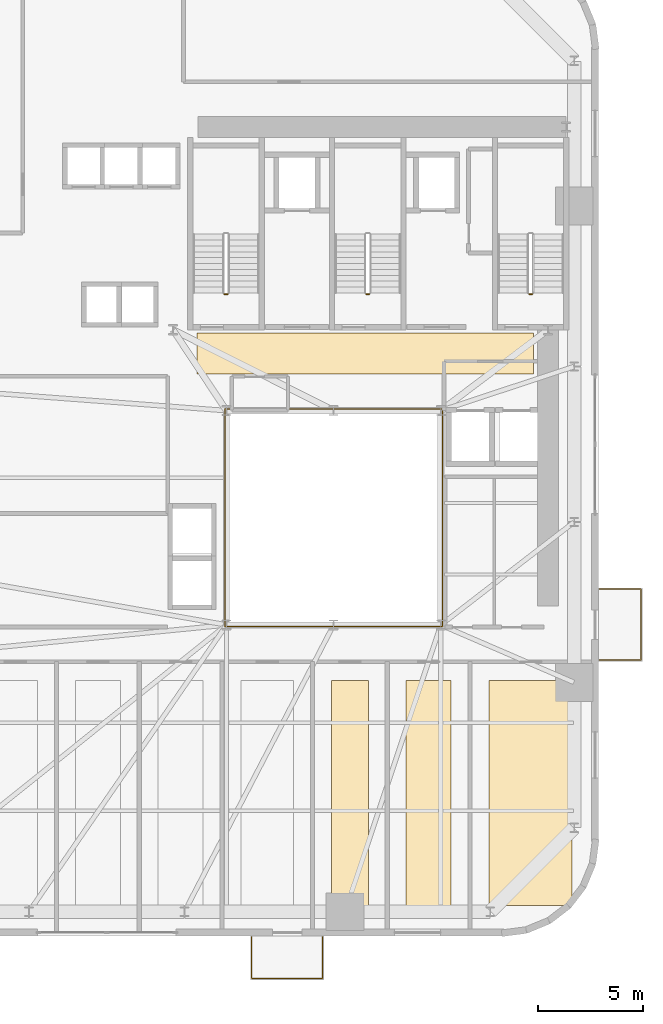
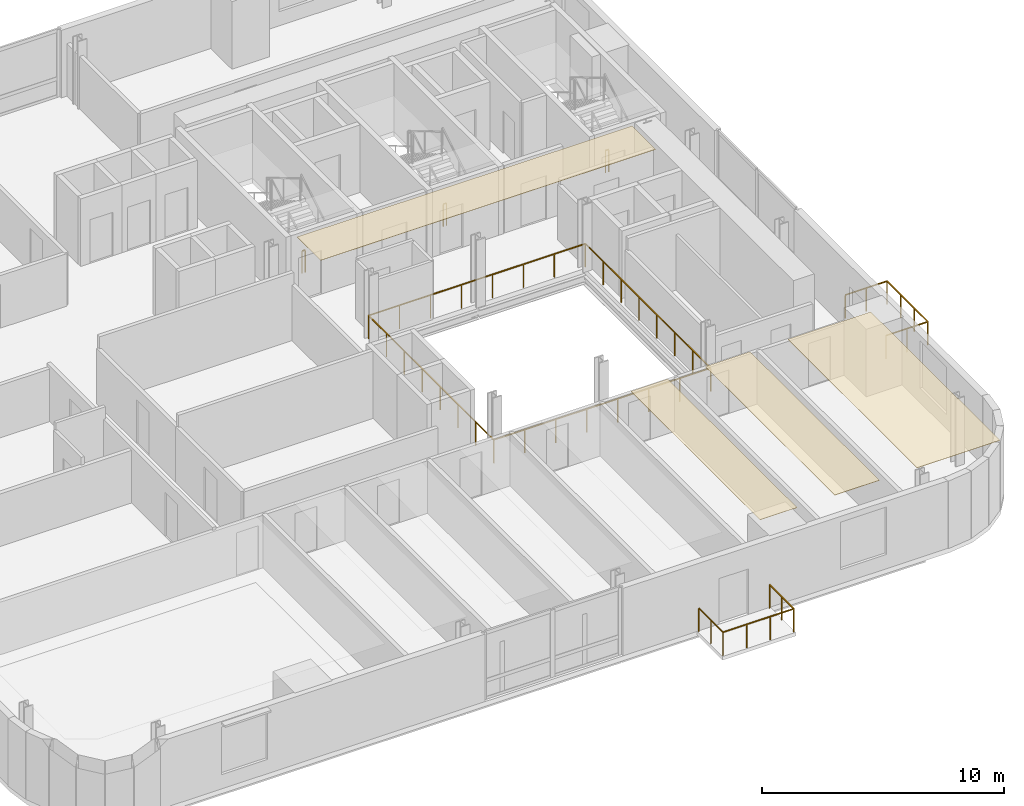
# One storey, part 11 of 13: 6 railings, 4 coverings.
"""IFC4 building model written with IfcOpenShell, lengths in metres."""

import ifcopenshell
import ifcopenshell.guid

model = None  # the IFC model being written
_history = None  # IfcOwnerHistory: only IFC2X3 demands one
_inside = {}  # id of a spatial element -> (the spatial element, [elements in it])
_under = {}  # id of a project, library or spatial element -> (it, [spatial elements below it])
_declared = {}  # id of a project -> (the project, [libraries it declares])
_typed = {}  # id of a type object -> (the type object, [elements of that type])
_made_of = {}  # id of a material, layer set ... -> (it, [elements and type objects made of it])


def new_model(schema):
    """Start an empty IFC model of exactly this schema.

    Asked for "IFC4X3", IfcOpenShell would pick the latest addendum, in which some entities
    have other attributes; the version numbers below select the first issue.
    IFC2X3 requires an IfcOwnerHistory on every rooted entity: one is made here for all.
    """
    global model, _history
    if schema == "IFC4X3":
        model = ifcopenshell.file(schema_version=(4, 3, 0, 0))
    else:
        model = ifcopenshell.file(schema=schema)
    _inside.clear()
    _under.clear()
    _declared.clear()
    _typed.clear()
    _made_of.clear()
    _history = None
    if model.schema == "IFC2X3":
        org = make("IfcOrganization", Name="unknown")
        user = make(
            "IfcPersonAndOrganization",
            ThePerson=make("IfcPerson", FamilyName="unknown"),
            TheOrganization=org,
        )
        app = make(
            "IfcApplication",
            ApplicationDeveloper=org,
            Version="unknown",
            ApplicationFullName="unknown",
            ApplicationIdentifier="unknown",
        )
        _history = make(
            "IfcOwnerHistory",
            OwningUser=user,
            OwningApplication=app,
            ChangeAction="ADDED",
            CreationDate=0,
        )
    return model


def make(cls, **values):
    """One entity of the class cls with the attributes given. An attribute that is None is left unset."""
    return model.create_entity(
        cls, **{name: value for name, value in values.items() if value is not None}
    )


def rooted(cls, **values):
    """An entity with a GlobalId (a new one), such as an element, a storey or a relation."""
    return make(cls, GlobalId=ifcopenshell.guid.new(), OwnerHistory=_history, **values)


def si_unit(unit_type, name, prefix=None):
    """IfcSIUnit, for example si_unit("LENGTHUNIT", "METRE", prefix="MILLI")."""
    return make("IfcSIUnit", UnitType=unit_type, Prefix=prefix, Name=name)


def assignment(units):
    """IfcUnitAssignment: the units of a project."""
    return None if units is None else make("IfcUnitAssignment", Units=units)


def point(xyz):
    """IfcCartesianPoint."""
    return None if xyz is None else make("IfcCartesianPoint", Coordinates=xyz)


def direction(xyz):
    """IfcDirection."""
    return None if xyz is None else make("IfcDirection", DirectionRatios=xyz)


def frame(location, z_axis=None, x_axis=None):
    """IfcAxis2Placement3D, a coordinate frame: its origin and axes. An axis left out is left unset."""
    return make(
        "IfcAxis2Placement3D",
        Location=point(location),
        Axis=direction(z_axis),
        RefDirection=direction(x_axis),
    )


def frame_2d(location, x_axis=None):
    """IfcAxis2Placement2D, a coordinate frame in the plane: its origin and x axis."""
    return make(
        "IfcAxis2Placement2D", Location=point(location), RefDirection=direction(x_axis)
    )


def origin():
    """The frame at (0, 0, 0) with its axes left unset."""
    return frame((0.0, 0.0, 0.0))


def origin_2d():
    """The frame at (0, 0) in the plane with its x axis left unset."""
    return frame_2d((0.0, 0.0))


def place(relative_to, where):
    """IfcLocalPlacement: puts the frame where relative to a parent placement (None: the world)."""
    return make(
        "IfcLocalPlacement", PlacementRelTo=relative_to, RelativePlacement=where
    )


def context(
    kind, dimensions, precision=None, world=None, true_north=None, identifier=None
):
    """IfcGeometricRepresentationContext, for example the 3D "Model" context."""
    return make(
        "IfcGeometricRepresentationContext",
        ContextIdentifier=identifier,
        ContextType=kind,
        CoordinateSpaceDimension=dimensions,
        Precision=precision,
        WorldCoordinateSystem=world,
        TrueNorth=true_north,
    )


def subcontext(parent, identifier, kind, view, scale=None):
    """IfcGeometricRepresentationSubContext, for example "Body" below "Model"."""
    return make(
        "IfcGeometricRepresentationSubContext",
        ContextIdentifier=identifier,
        ContextType=kind,
        ParentContext=parent,
        TargetScale=scale,
        TargetView=view,
    )


def project(units=None, contexts=None):
    """IfcProject with its units and contexts."""
    return rooted(
        "IfcProject",
        Name="project",
        RepresentationContexts=contexts,
        UnitsInContext=assignment(units),
    )


def spatial(cls, under=None, at=None, **own):
    """A site, building, storey or space (cls), placed at a placement, below another one or the project."""
    s = rooted(cls, ObjectPlacement=at, **own)
    if under is not None:
        _under.setdefault(under.id(), (under, []))[1].append(s)
    return s


def polyline(points):
    """IfcPolyline through the points."""
    return make("IfcPolyline", Points=[point(p) for p in points])


def profile(cls, at=None, kind="AREA", **sizes):
    """A parametric profile (cls). Its sizes go by their IFC names, for example OverallWidth=200.0."""
    return make(cls, ProfileType=kind, Position=at, **sizes)


def rectangle(**sizes):
    """IfcRectangleProfileDef."""
    return profile("IfcRectangleProfileDef", **sizes)


def outline(outer, holes=None, kind="AREA"):
    """IfcArbitraryClosedProfileDef: a profile drawn as a closed curve; with holes, ...WithVoids."""
    if holes is None:
        return make("IfcArbitraryClosedProfileDef", ProfileType=kind, OuterCurve=outer)
    return make(
        "IfcArbitraryProfileDefWithVoids",
        ProfileType=kind,
        OuterCurve=outer,
        InnerCurves=holes,
    )


def extrude(swept, where, along, depth):
    """IfcExtrudedAreaSolid: the profile swept, set in the frame where, extruded along a direction by depth."""
    return make(
        "IfcExtrudedAreaSolid",
        SweptArea=swept,
        Position=where,
        ExtrudedDirection=direction(along),
        Depth=depth,
    )


def shape(context_of_items, identifier, shape_type, items):
    """IfcShapeRepresentation: the items that make up one representation, for example the "Body"."""
    return make(
        "IfcShapeRepresentation",
        ContextOfItems=context_of_items,
        RepresentationIdentifier=identifier,
        RepresentationType=shape_type,
        Items=items,
    )


def source(mapping_origin, context_of_items, identifier, shape_type, items):
    """IfcRepresentationMap: a shape defined once, which mapped items show again and again."""
    return make(
        "IfcRepresentationMap",
        MappingOrigin=mapping_origin,
        MappedRepresentation=shape(context_of_items, identifier, shape_type, items),
    )


def transform(
    local_origin,
    x_axis=None,
    y_axis=None,
    z_axis=None,
    scale=None,
    scale2=None,
    scale3=None,
    uniform=True,
):
    """IfcCartesianTransformationOperator3D, or its non-uniform kind. x_axis, y_axis, z_axis: its Axis1, 2, 3."""
    if uniform:
        return make(
            "IfcCartesianTransformationOperator3D",
            Axis1=direction(x_axis),
            Axis2=direction(y_axis),
            LocalOrigin=point(local_origin),
            Scale=scale,
            Axis3=direction(z_axis),
        )
    return make(
        "IfcCartesianTransformationOperator3DnonUniform",
        Axis1=direction(x_axis),
        Axis2=direction(y_axis),
        LocalOrigin=point(local_origin),
        Scale=scale,
        Axis3=direction(z_axis),
        Scale2=scale2,
        Scale3=scale3,
    )


def mapped(mapping_source, mapping_target):
    """IfcMappedItem: shows the shape of a source again, moved by a transform."""
    return make(
        "IfcMappedItem", MappingSource=mapping_source, MappingTarget=mapping_target
    )


def material(Name=None, Category=None):
    """IfcMaterial."""
    return make("IfcMaterial", Name=Name, Category=Category)


def layer(
    of_material, thickness, ventilated=None, Name=None, Category=None, Priority=None
):
    """IfcMaterialLayer: one layer of a wall or slab, of a material (None: an air gap)."""
    return make(
        "IfcMaterialLayer",
        Material=of_material,
        LayerThickness=thickness,
        IsVentilated=ventilated,
        Name=Name,
        Category=Category,
        Priority=Priority,
    )


def layer_set(layers, Name=None):
    """IfcMaterialLayerSet."""
    return make("IfcMaterialLayerSet", MaterialLayers=layers, LayerSetName=Name)


def made_of(thing, what):
    """Note that an element or type object is made of a material, layer set ...; save() writes the relation."""
    if what is not None:
        _made_of.setdefault(what.id(), (what, []))[1].append(thing)
    return thing


def type_object(cls, material=None, **own):
    """A type object (cls), such as IfcWallType, which elements share."""
    return made_of(rooted(cls, **own), material)


def element(
    cls,
    number,
    at=None,
    inside=None,
    cuts=None,
    type_object=None,
    material=None,
    context=None,
    identifier="Body",
    shape_type=None,
    held_by="IfcProductDefinitionShape",
    body=None,
    shapes=None,
    **own,
):
    """One element of the class cls, such as IfcWall. Its Tag is "e" and its number.

    at: its placement. inside: the storey or other place that contains it. cuts: it is an
    opening in that element (IfcRelVoidsElement). A single representation is given by context,
    identifier, shape_type and body (its items); several are given by shapes. held_by: the class
    of the entity that holds the representations. save() writes the other relations.
    """
    e = rooted(cls, Tag="e%d" % number, ObjectPlacement=at, **own)
    if body is not None:
        shapes = [shape(context, identifier, shape_type, body)]
    if shapes is not None:
        e.Representation = make(held_by, Representations=shapes)
    if inside is not None:
        _inside.setdefault(inside.id(), (inside, []))[1].append(e)
    if cuts is not None:
        rooted(
            "IfcRelVoidsElement", RelatingBuildingElement=cuts, RelatedOpeningElement=e
        )
    if type_object is not None:
        _typed.setdefault(type_object.id(), (type_object, []))[1].append(e)
    return made_of(e, material)


def aggregate(whole, parts):
    """IfcRelAggregates: a whole, such as a stair, and the parts it consists of."""
    return rooted("IfcRelAggregates", RelatingObject=whole, RelatedObjects=parts)


def save(model, path):
    """Write the relations noted so far, then the file.

    IfcRelAggregates (storeys below a building ...), IfcRelContainedInSpatialStructure (elements
    in a storey), IfcRelDefinesByType, IfcRelAssociatesMaterial and IfcRelDeclares: one each for
    every whole, place, type object, material and project.
    """
    for whole, parts in _under.values():
        aggregate(whole, parts)
    for where, things in _inside.values():
        rooted(
            "IfcRelContainedInSpatialStructure",
            RelatedElements=things,
            RelatingStructure=where,
        )
    for kind, things in _typed.values():
        rooted("IfcRelDefinesByType", RelatedObjects=things, RelatingType=kind)
    for what, things in _made_of.values():
        rooted("IfcRelAssociatesMaterial", RelatedObjects=things, RelatingMaterial=what)
    for by, libraries in _declared.values():
        rooted("IfcRelDeclares", RelatingContext=by, RelatedDefinitions=libraries)
    model.write(path)


model = new_model("IFC4")

# Units and contexts
model_context = context("Model", 3, precision=1e-05, world=origin(), true_north=direction((0.0, 1.0)))
body_context = subcontext(model_context, "Body", "Model", "MODEL_VIEW")
ifc_project = project(units=[si_unit("LENGTHUNIT", "METRE"), si_unit("AREAUNIT", "SQUARE_METRE"), si_unit("VOLUMEUNIT", "CUBIC_METRE"), si_unit("PLANEANGLEUNIT", "RADIAN"), si_unit("MASSUNIT", "GRAM", prefix="KILO")], contexts=[model_context])

# Site, building, storey
site_placement = place(None, origin())
site = spatial("IfcSite", under=ifc_project, at=site_placement, CompositionType="ELEMENT")
building_placement = place(site_placement, origin())
building = spatial("IfcBuilding", under=site, at=building_placement, Name="Vardaveli Station Tower", CompositionType="ELEMENT")
storey_placement = place(building_placement, frame((0.0, 0.0, 53.14990234375)))
storey = spatial("IfcBuildingStorey", under=building, at=storey_placement, Name="L13", CompositionType="ELEMENT", Elevation=53.14990234375)

# Coverings
ifc_material_1 = material(Name="Perforated acoustic mineral ceiling")
ifc_layer = layer(ifc_material_1, 0.02001953125, Name="Perforated acoustic mineral ceiling")
ifc_layer_set = layer_set([ifc_layer], Name="Perforated acoustic mineral ceiling")
covering_type = type_object("IfcCoveringType", Name="COV-CEIL-AC20", PredefinedType="CEILING", material=ifc_layer_set)
covering_1_placement = place(storey_placement, frame((0.0, 0.0, 3.39501953125)))
element("IfcCovering", 1, at=covering_1_placement, inside=storey, type_object=covering_type, Name="CEIL-L13-6", PredefinedType="CEILING", context=body_context, shape_type="SweptSolid", body=[
    extrude(outline(polyline([(36.189697265625, 3.25), (37.951171875, 3.25), (37.951171875, 13.949951171875), (36.189697265625, 13.949951171875), (36.189697265625, 3.25)])), origin(), (0.0, 0.0, 1.0), 0.02001953125),
])
covering_2_placement = place(storey_placement, frame((0.0, 0.0, 3.39501953125)))
element("IfcCovering", 2, at=covering_2_placement, inside=storey, type_object=covering_type, Name="CEIL-L13-7", PredefinedType="CEILING", context=body_context, shape_type="SweptSolid", body=[
    extrude(outline(polyline([(39.751220703125, 3.25), (41.887451171875, 3.25), (41.887451171875, 13.949951171875), (39.751220703125, 13.949951171875), (39.751220703125, 3.25)])), origin(), (0.0, 0.0, 1.0), 0.02001953125),
])
covering_3_placement = place(storey_placement, frame((0.0, 0.0, 3.39501953125)))
element("IfcCovering", 3, at=covering_3_placement, inside=storey, type_object=covering_type, Name="CEIL-L13-8", PredefinedType="CEILING", context=body_context, shape_type="SweptSolid", body=[
    extrude(outline(polyline([(43.6875, 3.25), (47.64990234375, 3.25), (47.64990234375, 13.949951171875), (43.6875, 13.949951171875), (43.6875, 3.25)])), origin(), (0.0, 0.0, 1.0), 0.02001953125),
])
covering_4_placement = place(storey_placement, frame((0.0, 0.0, 3.39501953125)))
element("IfcCovering", 4, at=covering_4_placement, inside=storey, type_object=covering_type, Name="CEIL-L13-9", PredefinedType="CEILING", context=body_context, shape_type="SweptSolid", body=[
    extrude(outline(polyline([(29.800048828125, 28.550048828125), (45.800048828125, 28.550048828125), (45.800048828125, 30.5), (29.800048828125, 30.5), (29.800048828125, 28.550048828125)])), origin(), (0.0, 0.0, 1.0), 0.02001953125),
])

# Railings
ifc_material_2 = material(Name="Laminated glass and stainless steel balustrade", Category="steel")
railing_type_1 = type_object("IfcRailingType", Name="RL-BAL-1200", PredefinedType="BALUSTRADE", material=ifc_material_2)
shared_shape_1 = source(origin(), body_context, "Body", "SweptSolid", [
    extrude(rectangle(XDim=0.048095703125, YDim=0.048095703125, at=origin_2d()), frame((0.0, 0.0, 1.17578125), z_axis=(0.0, -1.0, 0.0), x_axis=(1.0, 0.0, 0.0)), (0.0, 0.0, 1.0), 2.0),
    extrude(rectangle(XDim=0.048095703125, YDim=0.048095703125, at=origin_2d()), frame((0.0, -2.0, 1.17578125), z_axis=(1.0, 0.0, 0.0), x_axis=(0.0, 1.0, 0.0)), (0.0, 0.0, 1.0), 3.3798828125),
    extrude(rectangle(XDim=0.048095703125, YDim=0.048095703125, at=origin_2d()), frame((3.3798828125, -2.0, 1.17578125), z_axis=(0.0, 1.0, 0.0), x_axis=(-1.0, 0.0, 0.0)), (0.0, 0.0, 1.0), 2.0),
    extrude(rectangle(XDim=0.0419921875, YDim=0.0419921875, at=origin_2d()), origin(), (0.0, 0.0, 1.0), 1.15185546875),
    extrude(rectangle(XDim=0.0419921875, YDim=0.0419921875, at=origin_2d()), frame((0.0, -1.0, 0.0)), (0.0, 0.0, 1.0), 1.15185546875),
    extrude(rectangle(XDim=0.0419921875, YDim=0.0419921875, at=origin_2d()), frame((0.0, -2.0, 0.0)), (0.0, 0.0, 1.0), 1.15185546875),
    extrude(rectangle(XDim=0.0419921875, YDim=0.0419921875, at=origin_2d()), frame((1.126708984375, -2.0, 0.0)), (0.0, 0.0, 1.0), 1.15185546875),
    extrude(rectangle(XDim=0.0419921875, YDim=0.0419921875, at=origin_2d()), frame((2.253173828125, -2.0, 0.0)), (0.0, 0.0, 1.0), 1.15185546875),
    extrude(rectangle(XDim=0.0419921875, YDim=0.0419921875, at=origin_2d()), frame((3.3798828125, -2.0, 0.0)), (0.0, 0.0, 1.0), 1.15185546875),
    extrude(rectangle(XDim=0.0419921875, YDim=0.0419921875, at=origin_2d()), frame((3.3798828125, -1.0, 0.0)), (0.0, 0.0, 1.0), 1.15185546875),
    extrude(rectangle(XDim=0.0419921875, YDim=0.0419921875, at=origin_2d()), frame((3.3798828125, 0.0, 0.0)), (0.0, 0.0, 1.0), 1.15185546875),
])
railing_1_placement = place(storey_placement, frame((32.399658203125, 1.760009765625, 0.0)))
element("IfcRailing", 5, at=railing_1_placement, inside=storey, type_object=railing_type_1, Name="RL-LOG-L13-01", PredefinedType="BALUSTRADE", context=body_context, shape_type="MappedRepresentation", body=[
    mapped(shared_shape_1, transform((0.0, 0.0, 0.0), scale=1.0)),
])
shared_shape_2 = source(origin(), body_context, "Body", "SweptSolid", [
    extrude(rectangle(XDim=0.048095703125, YDim=0.048095703125, at=origin_2d()), frame((0.0, 0.0, 1.17578125), z_axis=(1.0, 0.0, 0.0), x_axis=(0.0, 1.0, 0.0)), (0.0, 0.0, 1.0), 2.0),
    extrude(rectangle(XDim=0.048095703125, YDim=0.048095703125, at=origin_2d()), frame((2.0, 0.0, 1.17578125), z_axis=(0.0, 1.0, 0.0), x_axis=(-1.0, 0.0, 0.0)), (0.0, 0.0, 1.0), 3.3798828125),
    extrude(rectangle(XDim=0.048095703125, YDim=0.048095703125, at=origin_2d()), frame((2.0, 3.3798828125, 1.17578125), z_axis=(-1.0, 0.0, 0.0), x_axis=(0.0, -1.0, 0.0)), (0.0, 0.0, 1.0), 2.0),
    extrude(rectangle(XDim=0.0419921875, YDim=0.0419921875, at=origin_2d()), origin(), (0.0, 0.0, 1.0), 1.15185546875),
    extrude(rectangle(XDim=0.0419921875, YDim=0.0419921875, at=origin_2d()), frame((1.0, 0.0, 0.0)), (0.0, 0.0, 1.0), 1.15185546875),
    extrude(rectangle(XDim=0.0419921875, YDim=0.0419921875, at=origin_2d()), frame((2.0, 0.0, 0.0)), (0.0, 0.0, 1.0), 1.15185546875),
    extrude(rectangle(XDim=0.0419921875, YDim=0.0419921875, at=origin_2d()), frame((2.0, 1.126708984375, 0.0)), (0.0, 0.0, 1.0), 1.15185546875),
    extrude(rectangle(XDim=0.0419921875, YDim=0.0419921875, at=origin_2d()), frame((2.0, 2.253173828125, 0.0)), (0.0, 0.0, 1.0), 1.15185546875),
    extrude(rectangle(XDim=0.0419921875, YDim=0.0419921875, at=origin_2d()), frame((2.0, 3.3798828125, 0.0)), (0.0, 0.0, 1.0), 1.15185546875),
    extrude(rectangle(XDim=0.0419921875, YDim=0.0419921875, at=origin_2d()), frame((1.0, 3.3798828125, 0.0)), (0.0, 0.0, 1.0), 1.15185546875),
    extrude(rectangle(XDim=0.0419921875, YDim=0.0419921875, at=origin_2d()), frame((0.0, 3.3798828125, 0.0)), (0.0, 0.0, 1.0), 1.15185546875),
])
railing_2_placement = place(storey_placement, frame((48.93994140625, 14.92041015625, 0.0)))
element("IfcRailing", 6, at=railing_2_placement, inside=storey, type_object=railing_type_1, Name="RL-LOG-L13-04", PredefinedType="BALUSTRADE", context=body_context, shape_type="MappedRepresentation", body=[
    mapped(shared_shape_2, transform((0.0, 0.0, 0.0), scale=1.0)),
])
ifc_material_3 = material(Name="Brushed AISI 316 stainless steel", Category="steel")
railing_type_2 = type_object("IfcRailingType", Name="RL-GUARD-1150", PredefinedType="GUARDRAIL", material=ifc_material_3)
shared_shape_3 = source(origin(), body_context, "Body", "SweptSolid", [
    extrude(rectangle(XDim=0.048095703125, YDim=0.048095703125, at=origin_2d()), frame((0.0, 0.0, 1.1259765625), z_axis=(-1.0, 0.0, 0.0), x_axis=(0.0, -1.0, 0.0)), (0.0, 0.0, 1.0), 0.14990234375),
    extrude(rectangle(XDim=0.0419921875, YDim=0.0419921875, at=origin_2d()), origin(), (0.0, 0.0, 1.0), 1.101806640625),
    extrude(rectangle(XDim=0.0419921875, YDim=0.0419921875, at=origin_2d()), frame((-0.14990234375, 0.0, 0.0)), (0.0, 0.0, 1.0), 1.101806640625),
])
for number, where, name in (
    (7, (31.25, 32.35009765625, 0.0), "L13 ST-1 stair guard 4"),
    (8, (38.0, 32.35009765625, 0.0), "L13 ST-2 stair guard 4"),
    (9, (45.75, 32.35009765625, 0.0), "L13 ST-3 stair guard 4"),
):
    element("IfcRailing", number, at=place(storey_placement, frame(where)), inside=storey, type_object=railing_type_2, Name=name, PredefinedType="GUARDRAIL", context=body_context, shape_type="MappedRepresentation", body=[
        mapped(shared_shape_3, transform((0.0, 0.0, 0.0), scale=1.0)),
    ])
shared_shape_4 = source(origin(), body_context, "Body", "SweptSolid", [
    extrude(rectangle(XDim=0.048095703125, YDim=0.048095703125, at=origin_2d()), frame((0.0, 0.0, 1.17578125), z_axis=(1.0, 0.0, 0.0), x_axis=(0.0, 1.0, 0.0)), (0.0, 0.0, 1.0), 10.35986328125),
    extrude(rectangle(XDim=0.048095703125, YDim=0.048095703125, at=origin_2d()), frame((10.35986328125, 0.0, 1.17578125), z_axis=(0.0, 1.0, 0.0), x_axis=(-1.0, 0.0, 0.0)), (0.0, 0.0, 1.0), 10.35986328125),
    extrude(rectangle(XDim=0.048095703125, YDim=0.048095703125, at=origin_2d()), frame((10.35986328125, 10.35986328125, 1.17578125), z_axis=(-1.0, 0.0, 0.0), x_axis=(0.0, -1.0, 0.0)), (0.0, 0.0, 1.0), 10.35986328125),
    extrude(rectangle(XDim=0.048095703125, YDim=0.048095703125, at=origin_2d()), frame((0.0, 10.35986328125, 1.17578125), z_axis=(0.0, -1.0, 0.0), x_axis=(1.0, 0.0, 0.0)), (0.0, 0.0, 1.0), 10.35986328125),
    extrude(rectangle(XDim=0.0419921875, YDim=0.0419921875, at=origin_2d()), origin(), (0.0, 0.0, 1.0), 1.15185546875),
    extrude(rectangle(XDim=0.0419921875, YDim=0.0419921875, at=origin_2d()), frame((1.47998046875, 0.0, 0.0)), (0.0, 0.0, 1.0), 1.15185546875),
    extrude(rectangle(XDim=0.0419921875, YDim=0.0419921875, at=origin_2d()), frame((2.9599609375, 0.0, 0.0)), (0.0, 0.0, 1.0), 1.15185546875),
    extrude(rectangle(XDim=0.0419921875, YDim=0.0419921875, at=origin_2d()), frame((4.43994140625, 0.0, 0.0)), (0.0, 0.0, 1.0), 1.15185546875),
    extrude(rectangle(XDim=0.0419921875, YDim=0.0419921875, at=origin_2d()), frame((5.919921875, 0.0, 0.0)), (0.0, 0.0, 1.0), 1.15185546875),
    extrude(rectangle(XDim=0.0419921875, YDim=0.0419921875, at=origin_2d()), frame((7.39990234375, 0.0, 0.0)), (0.0, 0.0, 1.0), 1.15185546875),
    extrude(rectangle(XDim=0.0419921875, YDim=0.0419921875, at=origin_2d()), frame((8.8798828125, 0.0, 0.0)), (0.0, 0.0, 1.0), 1.15185546875),
    extrude(rectangle(XDim=0.0419921875, YDim=0.0419921875, at=origin_2d()), frame((10.35986328125, 0.0, 0.0)), (0.0, 0.0, 1.0), 1.15185546875),
    extrude(rectangle(XDim=0.0419921875, YDim=0.0419921875, at=origin_2d()), frame((10.35986328125, 1.47998046875, 0.0)), (0.0, 0.0, 1.0), 1.15185546875),
    extrude(rectangle(XDim=0.0419921875, YDim=0.0419921875, at=origin_2d()), frame((10.35986328125, 2.9599609375, 0.0)), (0.0, 0.0, 1.0), 1.15185546875),
    extrude(rectangle(XDim=0.0419921875, YDim=0.0419921875, at=origin_2d()), frame((10.35986328125, 4.43994140625, 0.0)), (0.0, 0.0, 1.0), 1.15185546875),
    extrude(rectangle(XDim=0.0419921875, YDim=0.0419921875, at=origin_2d()), frame((10.35986328125, 5.919921875, 0.0)), (0.0, 0.0, 1.0), 1.15185546875),
    extrude(rectangle(XDim=0.0419921875, YDim=0.0419921875, at=origin_2d()), frame((10.35986328125, 7.39990234375, 0.0)), (0.0, 0.0, 1.0), 1.15185546875),
    extrude(rectangle(XDim=0.0419921875, YDim=0.0419921875, at=origin_2d()), frame((10.35986328125, 8.8798828125, 0.0)), (0.0, 0.0, 1.0), 1.15185546875),
    extrude(rectangle(XDim=0.0419921875, YDim=0.0419921875, at=origin_2d()), frame((10.35986328125, 10.35986328125, 0.0)), (0.0, 0.0, 1.0), 1.15185546875),
    extrude(rectangle(XDim=0.0419921875, YDim=0.0419921875, at=origin_2d()), frame((8.8798828125, 10.35986328125, 0.0)), (0.0, 0.0, 1.0), 1.15185546875),
    extrude(rectangle(XDim=0.0419921875, YDim=0.0419921875, at=origin_2d()), frame((7.39990234375, 10.35986328125, 0.0)), (0.0, 0.0, 1.0), 1.15185546875),
    extrude(rectangle(XDim=0.0419921875, YDim=0.0419921875, at=origin_2d()), frame((5.919921875, 10.35986328125, 0.0)), (0.0, 0.0, 1.0), 1.15185546875),
    extrude(rectangle(XDim=0.0419921875, YDim=0.0419921875, at=origin_2d()), frame((4.43994140625, 10.35986328125, 0.0)), (0.0, 0.0, 1.0), 1.15185546875),
    extrude(rectangle(XDim=0.0419921875, YDim=0.0419921875, at=origin_2d()), frame((2.9599609375, 10.35986328125, 0.0)), (0.0, 0.0, 1.0), 1.15185546875),
    extrude(rectangle(XDim=0.0419921875, YDim=0.0419921875, at=origin_2d()), frame((1.47998046875, 10.35986328125, 0.0)), (0.0, 0.0, 1.0), 1.15185546875),
    extrude(rectangle(XDim=0.0419921875, YDim=0.0419921875, at=origin_2d()), frame((0.0, 10.35986328125, 0.0)), (0.0, 0.0, 1.0), 1.15185546875),
    extrude(rectangle(XDim=0.0419921875, YDim=0.0419921875, at=origin_2d()), frame((0.0, 8.8798828125, 0.0)), (0.0, 0.0, 1.0), 1.15185546875),
    extrude(rectangle(XDim=0.0419921875, YDim=0.0419921875, at=origin_2d()), frame((0.0, 7.39990234375, 0.0)), (0.0, 0.0, 1.0), 1.15185546875),
    extrude(rectangle(XDim=0.0419921875, YDim=0.0419921875, at=origin_2d()), frame((0.0, 5.919921875, 0.0)), (0.0, 0.0, 1.0), 1.15185546875),
    extrude(rectangle(XDim=0.0419921875, YDim=0.0419921875, at=origin_2d()), frame((0.0, 4.43994140625, 0.0)), (0.0, 0.0, 1.0), 1.15185546875),
    extrude(rectangle(XDim=0.0419921875, YDim=0.0419921875, at=origin_2d()), frame((0.0, 2.9599609375, 0.0)), (0.0, 0.0, 1.0), 1.15185546875),
    extrude(rectangle(XDim=0.0419921875, YDim=0.0419921875, at=origin_2d()), frame((0.0, 1.47998046875, 0.0)), (0.0, 0.0, 1.0), 1.15185546875),
])
railing_3_placement = place(storey_placement, frame((31.1201171875, 16.52001953125, 0.0)))
element("IfcRailing", 10, at=railing_3_placement, inside=storey, type_object=railing_type_1, Name="RL-ATR-L13", PredefinedType="BALUSTRADE", context=body_context, shape_type="MappedRepresentation", body=[
    mapped(shared_shape_4, transform((0.0, 0.0, 0.0), scale=1.0)),
])

save(model, "model.ifc")
